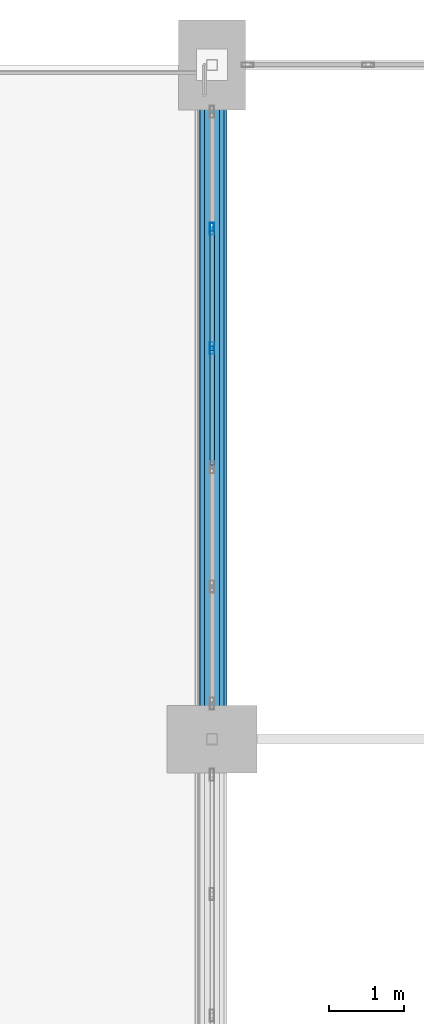
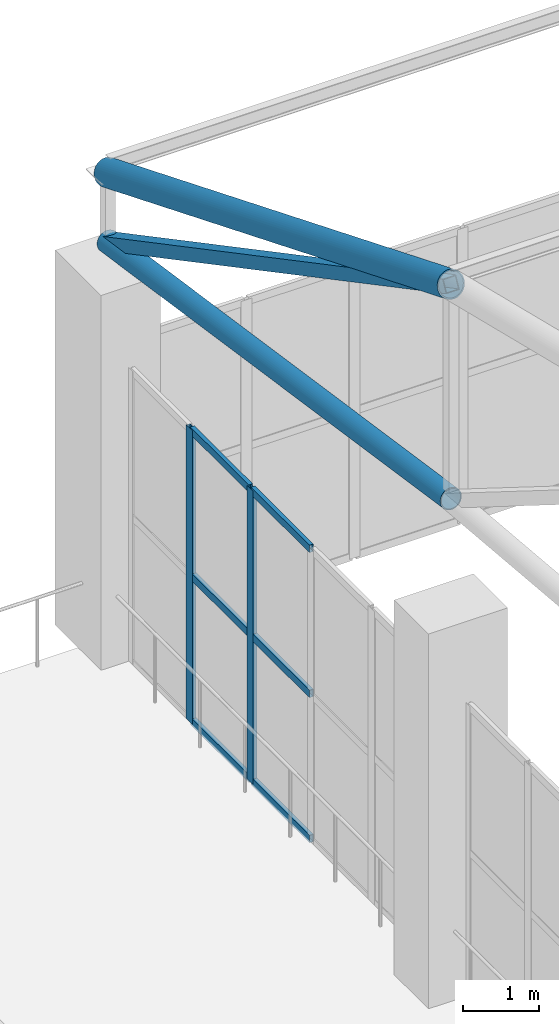
# One storey, part 125 of 223: 11 members, 1 element without a shape of its own.
"""IFC4 building model written with IfcOpenShell, lengths in metres."""

from ifc_helpers import new_model, si_unit, direction, frame, origin, origin_2d, place, context, subcontext, project, spatial, hollow_rectangle, hollow_circle, extrude, material, layer, layer_set, material_profile, profile_set, type_object, element, aggregate, save


model = new_model("IFC4")

# Units and contexts
model_context = context("Model", 3, precision=1e-05, world=origin(), true_north=direction((0.0, 1.0)))
body_context = subcontext(model_context, "Body", "Model", "MODEL_VIEW")
ifc_project = project(units=[si_unit("LENGTHUNIT", "METRE"), si_unit("AREAUNIT", "SQUARE_METRE"), si_unit("VOLUMEUNIT", "CUBIC_METRE"), si_unit("PLANEANGLEUNIT", "RADIAN"), si_unit("MASSUNIT", "GRAM", prefix="KILO")], contexts=[model_context])

# Site, building, storey
site_placement = place(None, origin())
site = spatial("IfcSite", under=ifc_project, at=site_placement, CompositionType="ELEMENT")
building_placement = place(site_placement, origin())
building = spatial("IfcBuilding", under=site, at=building_placement, Name="Dornveld Trade and Exhibition Forum", CompositionType="ELEMENT")
storey_placement = place(building_placement, frame((0.0, 0.0, 6.0)))
storey = spatial("IfcBuildingStorey", under=building, at=storey_placement, Name="L01", CompositionType="ELEMENT", Elevation=6.0)

# Curtain wall, members
ifc_material_1 = material(Name="Dark-bronze anodised aluminium and low-E glass", Category="aluminium")
ifc_layer = layer(ifc_material_1, 0.196044921875)
ifc_layer_set = layer_set([ifc_layer], Name="Dark-bronze anodised aluminium and low-E glass")
curtain_wall_type = type_object("IfcCurtainWallType", Name="CW-SYS-18", PredefinedType="USERDEFINED", material=ifc_layer_set)
curtain_wall_placement = place(storey_placement, origin())
curtain_wall = element("IfcCurtainWall", 1, at=curtain_wall_placement, inside=storey, type_object=curtain_wall_type, Name="L01 unitised curtain wall 18", ObjectType="UNITISED_CURTAIN_WALL", PredefinedType="USERDEFINED")
ifc_material_2 = material(Name="Dark-bronze anodised aluminium", Category="aluminium")
ifc_material_profile_1 = material_profile(ifc_material_2, hollow_rectangle(XDim=0.06005859375, YDim=0.159912109375, WallThickness=0.00390625, at=origin_2d()), Name="RHS 160x60x4")
ifc_profile_set_1 = profile_set([ifc_material_profile_1], Name="Dark-bronze anodised aluminium")
member_type_1 = type_object("IfcMemberType", Name="CW-MUL-160", PredefinedType="MULLION", material=ifc_profile_set_1)
member_1_placement = place(storey_placement, frame((99.0, 159.8125, -0.00390625), z_axis=(0.0, 0.0, 1.0), x_axis=(1.0, 0.0, 0.0)))
member_1 = element("IfcMember", 2, at=member_1_placement, type_object=member_type_1, Name="CW-18 mullion 2", PredefinedType="MULLION", context=body_context, shape_type="SweptSolid", body=[
    extrude(hollow_rectangle(XDim=0.06005859375, YDim=0.159912109375, WallThickness=0.00390625, at=origin_2d()), origin(), (0.0, 0.0, 1.0), 4.703857421875),
])
member_2_placement = place(storey_placement, frame((99.0, 158.220703125, -0.00390625), z_axis=(0.0, 0.0, 1.0), x_axis=(1.0, 0.0, 0.0)))
member_2 = element("IfcMember", 3, at=member_2_placement, type_object=member_type_1, Name="CW-18 mullion 3", PredefinedType="MULLION", context=body_context, shape_type="SweptSolid", body=[
    extrude(hollow_rectangle(XDim=0.06005859375, YDim=0.159912109375, WallThickness=0.00390625, at=origin_2d()), origin(), (0.0, 0.0, 1.0), 4.703857421875),
])
ifc_material_3 = material(Name="Dark-bronze anodised aluminium", Category="aluminium")
ifc_material_profile_2 = material_profile(ifc_material_3, hollow_rectangle(XDim=0.06005859375, YDim=0.1201171875, WallThickness=0.00390625, at=origin_2d()), Name="RHS 120x60x4")
ifc_profile_set_2 = profile_set([ifc_material_profile_2], Name="Dark-bronze anodised aluminium")
member_type_2 = type_object("IfcMemberType", Name="CW-TRN-120", PredefinedType="USERDEFINED", material=ifc_profile_set_2)
member_3_placement = place(storey_placement, frame((99.0, 159.782470703125, 0.02587890625), z_axis=(0.0, -1.0, 0.0), x_axis=(1.0, 0.0, 0.0)))
member_3 = element("IfcMember", 4, at=member_3_placement, type_object=member_type_2, Name="CW-18 transom 2.1", ObjectType="TRANSOM", PredefinedType="USERDEFINED", context=body_context, shape_type="SweptSolid", body=[
    extrude(hollow_rectangle(XDim=0.06005859375, YDim=0.1201171875, WallThickness=0.00390625, at=origin_2d()), origin(), (0.0, 0.0, 1.0), 1.53173828125),
])
member_4_placement = place(storey_placement, frame((99.0, 159.782470703125, 2.347900390625), z_axis=(0.0, -1.0, 0.0), x_axis=(1.0, 0.0, 0.0)))
member_4 = element("IfcMember", 5, at=member_4_placement, type_object=member_type_2, Name="CW-18 transom 2.2", ObjectType="TRANSOM", PredefinedType="USERDEFINED", context=body_context, shape_type="SweptSolid", body=[
    extrude(hollow_rectangle(XDim=0.06005859375, YDim=0.1201171875, WallThickness=0.00390625, at=origin_2d()), origin(), (0.0, 0.0, 1.0), 1.53173828125),
])
member_5_placement = place(storey_placement, frame((99.0, 159.782470703125, 4.669921875), z_axis=(0.0, -1.0, 0.0), x_axis=(1.0, 0.0, 0.0)))
member_5 = element("IfcMember", 6, at=member_5_placement, type_object=member_type_2, Name="CW-18 transom 2.3", ObjectType="TRANSOM", PredefinedType="USERDEFINED", context=body_context, shape_type="SweptSolid", body=[
    extrude(hollow_rectangle(XDim=0.06005859375, YDim=0.1201171875, WallThickness=0.00390625, at=origin_2d()), origin(), (0.0, 0.0, 1.0), 1.53173828125),
])
member_6_placement = place(storey_placement, frame((99.0, 158.19091796875, 0.02587890625), z_axis=(0.0, -1.0, 0.0), x_axis=(1.0, 0.0, 0.0)))
member_6 = element("IfcMember", 7, at=member_6_placement, type_object=member_type_2, Name="CW-18 transom 3.1", ObjectType="TRANSOM", PredefinedType="USERDEFINED", context=body_context, shape_type="SweptSolid", body=[
    extrude(hollow_rectangle(XDim=0.06005859375, YDim=0.1201171875, WallThickness=0.00390625, at=origin_2d()), origin(), (0.0, 0.0, 1.0), 1.53173828125),
])
member_7_placement = place(storey_placement, frame((99.0, 158.19091796875, 2.347900390625), z_axis=(0.0, -1.0, 0.0), x_axis=(1.0, 0.0, 0.0)))
member_7 = element("IfcMember", 8, at=member_7_placement, type_object=member_type_2, Name="CW-18 transom 3.2", ObjectType="TRANSOM", PredefinedType="USERDEFINED", context=body_context, shape_type="SweptSolid", body=[
    extrude(hollow_rectangle(XDim=0.06005859375, YDim=0.1201171875, WallThickness=0.00390625, at=origin_2d()), origin(), (0.0, 0.0, 1.0), 1.53173828125),
])
member_8_placement = place(storey_placement, frame((99.0, 158.19091796875, 4.669921875), z_axis=(0.0, -1.0, 0.0), x_axis=(1.0, 0.0, 0.0)))
member_8 = element("IfcMember", 9, at=member_8_placement, type_object=member_type_2, Name="CW-18 transom 3.3", ObjectType="TRANSOM", PredefinedType="USERDEFINED", context=body_context, shape_type="SweptSolid", body=[
    extrude(hollow_rectangle(XDim=0.06005859375, YDim=0.1201171875, WallThickness=0.00390625, at=origin_2d()), origin(), (0.0, 0.0, 1.0), 1.53173828125),
])
aggregate(curtain_wall, [member_1, member_2, member_3, member_4, member_5, member_6, member_7, member_8])

# Members
ifc_material_4 = material(Name="Steel S355J2", Category="steel")
ifc_material_profile_3 = material_profile(ifc_material_4, hollow_circle(Radius=0.161865234375, WallThickness=0.01611328125, at=origin_2d()), Name="CHS 323.9x16")
ifc_profile_set_3 = profile_set([ifc_material_profile_3], Name="Steel S355J2")
member_type_3 = type_object("IfcMemberType", Name="MEM-ARCH-BC", PredefinedType="CHORD", material=ifc_profile_set_3)
member_9_placement = place(storey_placement, frame((99.0, 153.0, 7.683349609375), z_axis=(0.0, 0.989204758987, -0.146539908551), x_axis=(-1.0, 0.0, 0.0)))
element("IfcMember", 10, at=member_9_placement, inside=storey, type_object=member_type_3, Name="H1 truss 1 tie chord 6", PredefinedType="CHORD", context=body_context, shape_type="SweptSolid", body=[
    extrude(hollow_circle(Radius=0.161865234375, WallThickness=0.01611328125, at=origin_2d()), origin(), (0.0, 0.0, 1.0), 9.09814453125),
])
ifc_material_5 = material(Name="Steel S355J2", Category="steel")
ifc_material_profile_4 = material_profile(ifc_material_5, hollow_circle(Radius=0.203125, WallThickness=0.02001953125, at=origin_2d()), Name="CHS 406.4x20")
ifc_profile_set_4 = profile_set([ifc_material_profile_4], Name="Steel S355J2")
member_type_4 = type_object("IfcMemberType", Name="MEM-ARCH-TC", PredefinedType="CHORD", material=ifc_profile_set_4)
member_10_placement = place(storey_placement, frame((99.0, 153.0, 11.11669921875), z_axis=(0.0, 0.926089433793, -0.377304069177), x_axis=(-1.0, 0.0, 0.0)))
element("IfcMember", 11, at=member_10_placement, inside=storey, type_object=member_type_4, Name="H1 truss 1 top chord 6", PredefinedType="CHORD", context=body_context, shape_type="SweptSolid", body=[
    extrude(hollow_circle(Radius=0.203125, WallThickness=0.02001953125, at=origin_2d()), origin(), (0.0, 0.0, 1.0), 9.71826171875),
])
ifc_material_6 = material(Name="Steel S355J2", Category="steel")
ifc_material_profile_5 = material_profile(ifc_material_6, hollow_rectangle(XDim=0.199951171875, YDim=0.199951171875, WallThickness=0.010009765625, at=origin_2d()), Name="SHS 200x200x10")
ifc_profile_set_5 = profile_set([ifc_material_profile_5], Name="Steel S355J2")
member_type_5 = type_object("IfcMemberType", Name="MEM-ARCH-WEB", PredefinedType="BRACE", material=ifc_profile_set_5)
member_11_placement = place(storey_placement, frame((99.0, 162.0, 6.35009765625), z_axis=(0.0, -0.883710934211, 0.468033102201), x_axis=(1.0, 0.0, 0.0)))
element("IfcMember", 12, at=member_11_placement, inside=storey, type_object=member_type_5, Name="H1 truss 1 web 6", PredefinedType="BRACE", context=body_context, shape_type="SweptSolid", body=[
    extrude(hollow_rectangle(XDim=0.199951171875, YDim=0.199951171875, WallThickness=0.010009765625, at=origin_2d()), origin(), (0.0, 0.0, 1.0), 10.184326171875),
])

save(model, "model.ifc")
